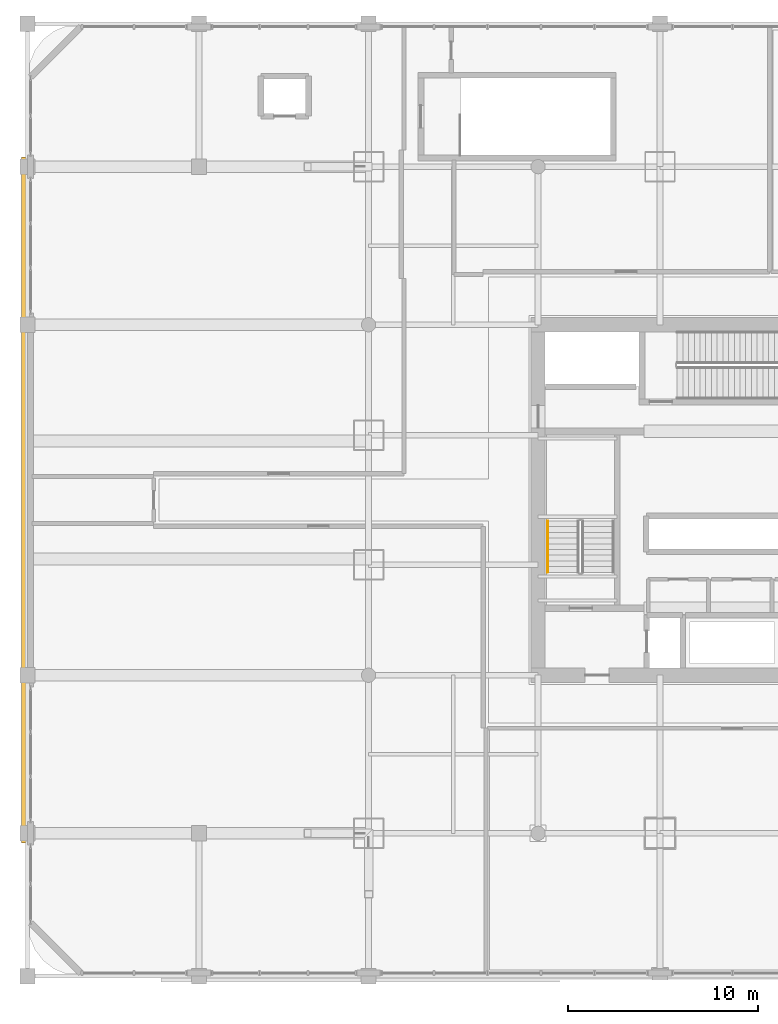
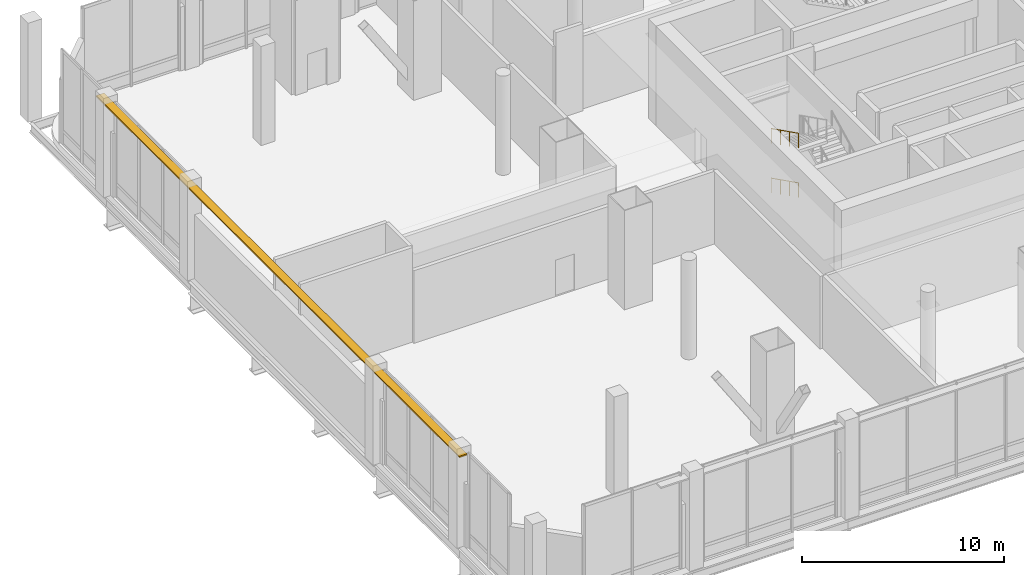
# One storey, part 30 of 38: 2 railings, 1 shading device.
"""IFC4 building model written with IfcOpenShell, lengths in metres."""

from ifc_helpers import new_model, si_unit, direction, frame, origin, origin_2d, place, context, subcontext, project, spatial, rectangle, circle, extrude, material, material_profile, profile_set, type_object, element, save


model = new_model("IFC4")

# Units and contexts
model_context = context("Model", 3, precision=1e-05, world=origin(), true_north=direction((0.0, 1.0)))
body_context = subcontext(model_context, "Body", "Model", "MODEL_VIEW")
ifc_project = project(units=[si_unit("LENGTHUNIT", "METRE"), si_unit("AREAUNIT", "SQUARE_METRE"), si_unit("VOLUMEUNIT", "CUBIC_METRE"), si_unit("PLANEANGLEUNIT", "RADIAN"), si_unit("MASSUNIT", "GRAM", prefix="KILO")], contexts=[model_context])

# Site, building, storey
site_placement = place(None, origin())
site = spatial("IfcSite", under=ifc_project, at=site_placement, CompositionType="ELEMENT")
building_placement = place(site_placement, origin())
building = spatial("IfcBuilding", under=site, at=building_placement, Name="Punatoya Terracotta Tower", CompositionType="ELEMENT")
storey_placement = place(building_placement, frame((0.0, 0.0, 22.199951171875)))
storey = spatial("IfcBuildingStorey", under=building, at=storey_placement, Name="L04", CompositionType="ELEMENT", Elevation=22.199951171875)

# Railings
ifc_material_1 = material(Name="Steel S355", Category="steel")
railing_type = type_object("IfcRailingType", Name="RLG-HND-900", PredefinedType="HANDRAIL", material=ifc_material_1)
for number, where, name in (
    (1, (-9.699951171875, -1.10009765625, 1.650146484375), "L04 ST-1 stair handrail 2"),
    (2, (-9.699951171875, -1.10009765625, 4.650146484375), "L04 ST-1 stair handrail 4"),
):
    element("IfcRailing", number, at=place(storey_placement, frame(where)), inside=storey, type_object=railing_type, Name=name, PredefinedType="HANDRAIL", context=body_context, shape_type="SweptSolid", body=[
        extrude(circle(Radius=0.02392578125, at=origin_2d()), frame((0.0, 0.0, 0.8759765625), z_axis=(0.0, -0.89444336626, 0.447181243517), x_axis=(1.0, 0.0, 0.0)), (0.0, 0.0, 1.0), 3.0185546875),
        extrude(circle(Radius=0.02099609375, at=origin_2d()), origin(), (0.0, 0.0, 1.0), 0.851806640625),
        extrude(circle(Radius=0.02099609375, at=origin_2d()), frame((0.0, -0.89990234375, 0.449951171875)), (0.0, 0.0, 1.0), 0.851806640625),
        extrude(circle(Radius=0.02099609375, at=origin_2d()), frame((0.0, -1.800048828125, 0.89990234375)), (0.0, 0.0, 1.0), 0.851806640625),
        extrude(circle(Radius=0.02099609375, at=origin_2d()), frame((0.0, -2.699951171875, 1.349853515625)), (0.0, 0.0, 1.0), 0.851806640625),
    ])

# Shading device
ifc_material_2 = material(Name="Architectural Fired Terracotta", Category="masonry")
ifc_material_profile = material_profile(ifc_material_2, rectangle(XDim=0.449951171875, YDim=0.080078125, at=origin_2d()))
ifc_profile_set = profile_set([ifc_material_profile], Name="Architectural Fired Terracotta")
shading_device_type = type_object("IfcShadingDeviceType", Name="SHD-CHAJ-450", PredefinedType="USERDEFINED", material=ifc_profile_set)
shading_device_placement = place(storey_placement, frame((-37.090087890625, -18.0, 5.570068359375), z_axis=(0.0, 1.0, 0.0), x_axis=(-1.0, 0.0, 0.0)))
element("IfcShadingDevice", 3, at=shading_device_placement, inside=storey, type_object=shading_device_type, Name="L04 Projecting Terracotta Chhajja Sunshade 2", ObjectType="SUNSHADE", PredefinedType="USERDEFINED", context=body_context, shape_type="SweptSolid", body=[
    extrude(rectangle(XDim=0.449951171875, YDim=0.080078125, at=origin_2d()), origin(), (0.0, 0.0, 1.0), 36.0),
])

save(model, "model.ifc")
